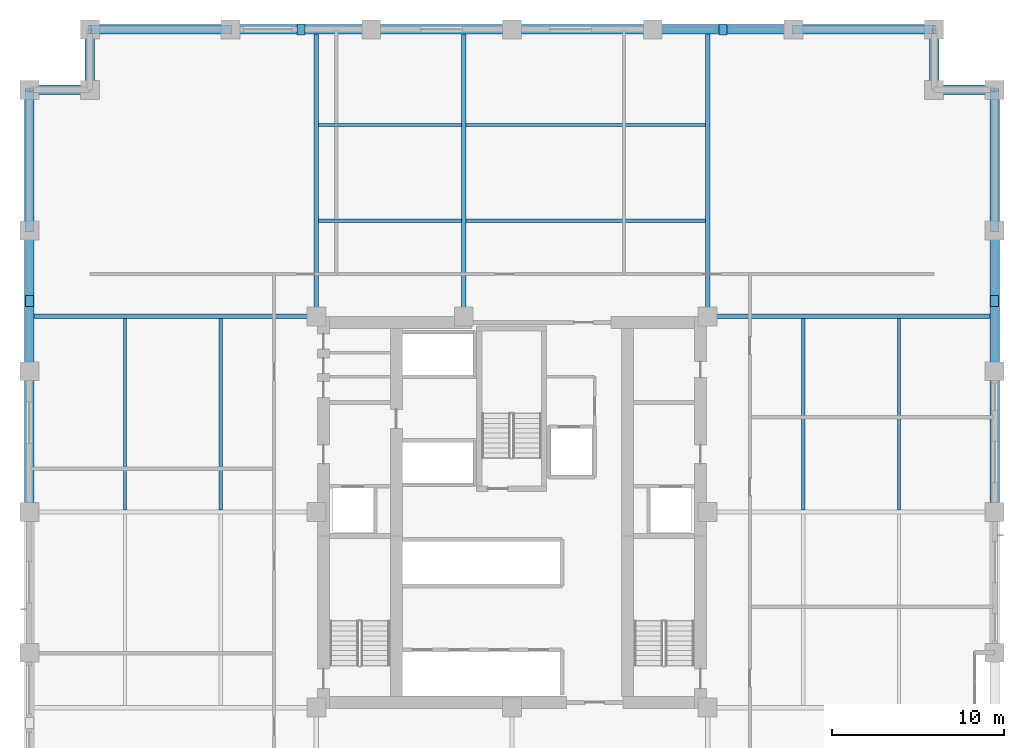
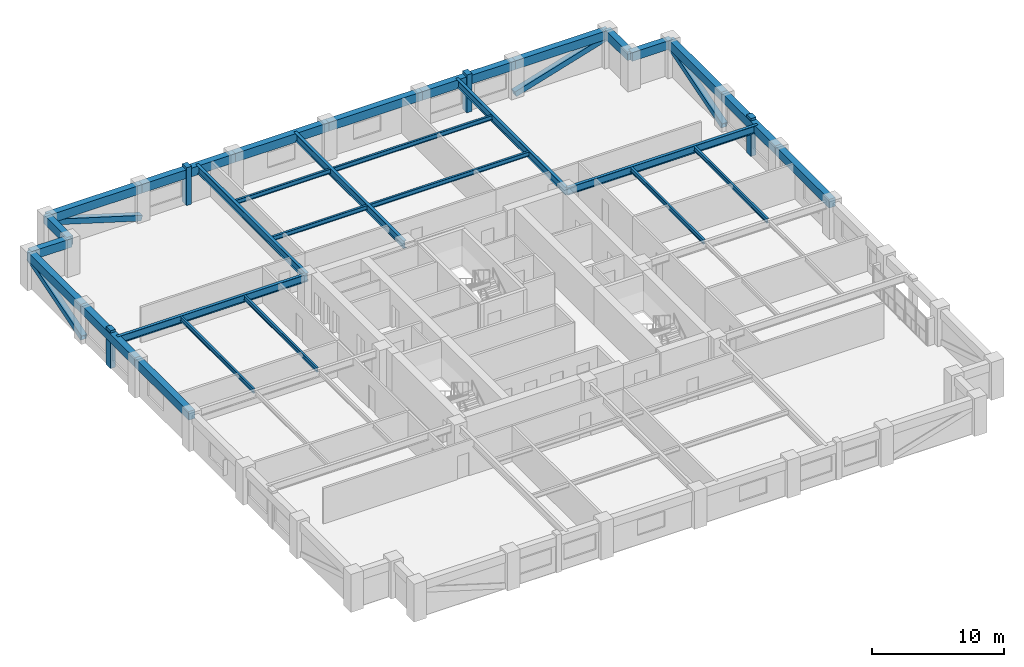
# One storey, part 3 of 13: 29 beams, 8 members.
"""IFC4 building model written with IfcOpenShell, lengths in metres."""

from ifc_helpers import new_model, si_unit, direction, frame, origin, origin_2d, place, context, subcontext, project, spatial, rectangle, hollow_rectangle, i_section, extrude, material, material_profile, profile_set, type_object, element, save


model = new_model("IFC4")

# Units and contexts
model_context = context("Model", 3, precision=1e-05, world=origin(), true_north=direction((0.0, 1.0)))
body_context = subcontext(model_context, "Body", "Model", "MODEL_VIEW")
ifc_project = project(units=[si_unit("LENGTHUNIT", "METRE"), si_unit("AREAUNIT", "SQUARE_METRE"), si_unit("VOLUMEUNIT", "CUBIC_METRE"), si_unit("PLANEANGLEUNIT", "RADIAN"), si_unit("MASSUNIT", "GRAM", prefix="KILO")], contexts=[model_context])

# Site, building, storey
site_placement = place(None, origin())
site = spatial("IfcSite", under=ifc_project, at=site_placement, CompositionType="ELEMENT")
building_placement = place(site_placement, origin())
building = spatial("IfcBuilding", under=site, at=building_placement, Name="Nhamokura Convention Tower", CompositionType="ELEMENT")
storey_placement = place(building_placement, frame((0.0, 0.0, 92.75)))
storey = spatial("IfcBuildingStorey", under=building, at=storey_placement, Name="L22", CompositionType="ELEMENT", Elevation=92.75)

# Members
ifc_material_1 = material(Name="Bronze-pigmented precast concrete C45/55", Category="concrete")
ifc_material_profile_1 = material_profile(ifc_material_1, rectangle(XDim=0.449951171875, YDim=0.64990234375, at=origin_2d()))
ifc_profile_set_1 = profile_set([ifc_material_profile_1], Name="Bronze-pigmented precast concrete C45/55")
member_type_1 = type_object("IfcMemberType", Name="BronzePilaster_650", PredefinedType="USERDEFINED", material=ifc_profile_set_1)
for number, where, z_axis, x_axis, name in (
    (1, (19.75, 60.0, 0.0), (0.0, 0.0, 1.0), (1.0, 0.0, 0.0), "L22 Engaged Frame Pilaster NORTH 1"),
    (2, (44.25, 60.0, 0.0), (0.0, 0.0, 1.0), (1.0, 0.0, 0.0), "L22 Engaged Frame Pilaster NORTH 4"),
    (3, (4.0, 44.25, 0.0), (0.0, 0.0, 1.0), (1.0, 0.0, 0.0), "L22 Engaged Frame Pilaster WEST 4"),
    (4, (60.0, 44.25, 0.0), (0.0, 0.0, 1.0), (1.0, 0.0, 0.0), "L22 Engaged Frame Pilaster EAST 4"),
):
    element("IfcMember", number, at=place(storey_placement, frame(where, z_axis=z_axis, x_axis=x_axis)), inside=storey, type_object=member_type_1, Name=name, ObjectType="PILASTER_TRIM", PredefinedType="USERDEFINED", context=body_context, shape_type="SweptSolid", body=[
        extrude(rectangle(XDim=0.449951171875, YDim=0.64990234375, at=origin_2d()), origin(), (0.0, 0.0, 1.0), 3.5),
    ])

# Beams
ifc_material_2 = material(Name="Steel ASTM A992 Gr 50", Category="steel")
ifc_material_profile_2 = material_profile(ifc_material_2, i_section(OverallWidth=0.178955078125, OverallDepth=0.409912109375, WebThickness=0.0087890625, FlangeThickness=0.014404296875, at=origin_2d()))
ifc_profile_set_2 = profile_set([ifc_material_profile_2], Name="Steel ASTM A992 Gr 50")
beam_type_1 = type_object("IfcBeamType", Name="FloorJoist_W410X67", PredefinedType="JOIST", material=ifc_profile_set_2)
beam_1_placement = place(storey_placement, frame((20.77587890625, 48.89990234375, 3.074951171875), z_axis=(1.0, 0.0, 0.0), x_axis=(0.0, 1.0, 0.0)))
element("IfcBeam", 5, at=beam_1_placement, inside=storey, type_object=beam_type_1, Name="L22 Composite Floor Joist N1A", PredefinedType="JOIST", context=body_context, shape_type="SweptSolid", body=[
    extrude(i_section(OverallWidth=0.178955078125, OverallDepth=0.409912109375, WebThickness=0.0087890625, FlangeThickness=0.014404296875, at=origin_2d()), origin(), (0.0, 0.0, 1.0), 8.298095703125),
])
beam_2_placement = place(storey_placement, frame((29.325927734375, 48.89990234375, 3.074951171875), z_axis=(1.0, 0.0, 0.0), x_axis=(0.0, 1.0, 0.0)))
element("IfcBeam", 6, at=beam_2_placement, inside=storey, type_object=beam_type_1, Name="L22 Composite Floor Joist N1B", PredefinedType="JOIST", context=body_context, shape_type="SweptSolid", body=[
    extrude(i_section(OverallWidth=0.178955078125, OverallDepth=0.409912109375, WebThickness=0.0087890625, FlangeThickness=0.014404296875, at=origin_2d()), origin(), (0.0, 0.0, 1.0), 13.898193359375),
])
beam_3_placement = place(storey_placement, frame((20.77587890625, 54.449951171875, 3.074951171875), z_axis=(1.0, 0.0, 0.0), x_axis=(0.0, 1.0, 0.0)))
element("IfcBeam", 7, at=beam_3_placement, inside=storey, type_object=beam_type_1, Name="L22 Composite Floor Joist N2A", PredefinedType="JOIST", context=body_context, shape_type="SweptSolid", body=[
    extrude(i_section(OverallWidth=0.178955078125, OverallDepth=0.409912109375, WebThickness=0.0087890625, FlangeThickness=0.014404296875, at=origin_2d()), origin(), (0.0, 0.0, 1.0), 8.298095703125),
])
beam_4_placement = place(storey_placement, frame((29.325927734375, 54.449951171875, 3.074951171875), z_axis=(1.0, 0.0, 0.0), x_axis=(0.0, 1.0, 0.0)))
element("IfcBeam", 8, at=beam_4_placement, inside=storey, type_object=beam_type_1, Name="L22 Composite Floor Joist N2B", PredefinedType="JOIST", context=body_context, shape_type="SweptSolid", body=[
    extrude(i_section(OverallWidth=0.178955078125, OverallDepth=0.409912109375, WebThickness=0.0087890625, FlangeThickness=0.014404296875, at=origin_2d()), origin(), (0.0, 0.0, 1.0), 13.898193359375),
])
for number, where, z_axis, x_axis, name in (
    (9, (9.550048828125, 32.1259765625, 3.074951171875), (0.0, 1.0, 0.0), (-1.0, 0.0, 0.0), "L22 Composite Floor Joist W1B"),
    (10, (15.10009765625, 32.1259765625, 3.074951171875), (0.0, 1.0, 0.0), (-1.0, 0.0, 0.0), "L22 Composite Floor Joist W2B"),
    (11, (48.89990234375, 32.1259765625, 3.074951171875), (0.0, 1.0, 0.0), (-1.0, 0.0, 0.0), "L22 Composite Floor Joist E1B"),
    (12, (54.449951171875, 32.1259765625, 3.074951171875), (0.0, 1.0, 0.0), (-1.0, 0.0, 0.0), "L22 Composite Floor Joist E2B"),
):
    element("IfcBeam", number, at=place(storey_placement, frame(where, z_axis=z_axis, x_axis=x_axis)), inside=storey, type_object=beam_type_1, Name=name, PredefinedType="JOIST", context=body_context, shape_type="SweptSolid", body=[
        extrude(i_section(OverallWidth=0.178955078125, OverallDepth=0.409912109375, WebThickness=0.0087890625, FlangeThickness=0.014404296875, at=origin_2d()), origin(), (0.0, 0.0, 1.0), 11.09814453125),
    ])
ifc_material_3 = material(Name="Steel ASTM A992 Gr 50", Category="steel")
ifc_material_profile_3 = material_profile(ifc_material_3, i_section(OverallWidth=0.256103515625, OverallDepth=0.693115234375, WebThickness=0.014404296875, FlangeThickness=0.023681640625, at=origin_2d()))
ifc_profile_set_3 = profile_set([ifc_material_profile_3], Name="Steel ASTM A992 Gr 50")
beam_type_2 = type_object("IfcBeamType", Name="PrimaryGirder_W690X170", PredefinedType="BEAM", material=ifc_profile_set_3)
for number, where, z_axis, x_axis, name in (
    (13, (20.64990234375, 43.35009765625, 2.93359375), (0.0, 1.0, 0.0), (-1.0, 0.0, 0.0), "L22 Primary Floor Girder PG-N1"),
    (14, (29.199951171875, 43.35009765625, 2.93359375), (0.0, 1.0, 0.0), (-1.0, 0.0, 0.0), "L22 Primary Floor Girder PG-N2"),
    (15, (43.35009765625, 43.35009765625, 2.93359375), (0.0, 1.0, 0.0), (-1.0, 0.0, 0.0), "L22 Primary Floor Girder PG-N3"),
    (16, (4.0, 43.35009765625, 2.93359375), (1.0, 0.0, 0.0), (0.0, 1.0, 0.0), "L22 Primary Floor Girder PG-W3"),
    (17, (43.35009765625, 43.35009765625, 2.93359375), (1.0, 0.0, 0.0), (0.0, 1.0, 0.0), "L22 Primary Floor Girder PG-E3"),
):
    element("IfcBeam", number, at=place(storey_placement, frame(where, z_axis=z_axis, x_axis=x_axis)), inside=storey, type_object=beam_type_2, Name=name, PredefinedType="BEAM", context=body_context, shape_type="SweptSolid", body=[
        extrude(i_section(OverallWidth=0.256103515625, OverallDepth=0.693115234375, WebThickness=0.014404296875, FlangeThickness=0.023681640625, at=origin_2d()), origin(), (0.0, 0.0, 1.0), 16.64990234375),
    ])

# Members
ifc_material_4 = material(Name="Steel ASTM A572 Gr 50", Category="steel")
ifc_material_profile_4 = material_profile(ifc_material_4, hollow_rectangle(XDim=0.5, YDim=0.5, WallThickness=0.02490234375, at=origin_2d()))
ifc_profile_set_4 = profile_set([ifc_material_profile_4], Name="Steel ASTM A572 Gr 50")
member_type_2 = type_object("IfcMemberType", Name="TubeBrace_HSS500", PredefinedType="BRACE", material=ifc_profile_set_4)
for number, where, z_axis, x_axis, name in (
    (18, (15.666748046875, 60.0, 0.14990234375), (-0.956854874628, 0.0, 0.290566255612), (0.0, -1.0, 0.0), "L22 Perimeter Tube Brace NORTH Bay 0"),
    (19, (48.333251953125, 60.0, 0.14990234375), (0.956854874628, 0.0, 0.290566255612), (0.0, 1.0, 0.0), "L22 Perimeter Tube Brace NORTH Bay 5"),
    (20, (4.0, 48.333251953125, 0.14990234375), (0.0, 0.956854874628, 0.290566255612), (-1.0, 0.0, 0.0), "L22 Perimeter Tube Brace WEST Bay 5"),
    (21, (60.0, 48.333251953125, 0.14990234375), (0.0, 0.956854874628, 0.290566255612), (-1.0, 0.0, 0.0), "L22 Perimeter Tube Brace EAST Bay 5"),
):
    element("IfcMember", number, at=place(storey_placement, frame(where, z_axis=z_axis, x_axis=x_axis)), inside=storey, type_object=member_type_2, Name=name, PredefinedType="BRACE", context=body_context, shape_type="SweptSolid", body=[
        extrude(hollow_rectangle(XDim=0.5, YDim=0.5, WallThickness=0.02490234375, at=origin_2d()), origin(), (0.0, 0.0, 1.0), 8.534912109375),
    ])

# Beams
ifc_material_5 = material(Name="Concrete C50/60", Category="concrete")
ifc_material_profile_5 = material_profile(ifc_material_5, rectangle(XDim=0.550048828125, YDim=0.800048828125, at=origin_2d()))
ifc_profile_set_5 = profile_set([ifc_material_profile_5], Name="Concrete C50/60")
beam_type_3 = type_object("IfcBeamType", Name="TubeSpandrel_800", PredefinedType="SPANDREL", material=ifc_profile_set_5)
beam_5_placement = place(storey_placement, frame((7.5, 60.0, 2.8798828125), z_axis=(1.0, 0.0, 0.0), x_axis=(0.0, 1.0, 0.0)))
element("IfcBeam", 22, at=beam_5_placement, inside=storey, type_object=beam_type_3, Name="L22 Perimeter Spandrel NORTH 1", PredefinedType="SPANDREL", context=body_context, shape_type="SweptSolid", body=[
    extrude(rectangle(XDim=0.550048828125, YDim=0.800048828125, at=origin_2d()), origin(), (0.0, 0.0, 1.0), 8.166748046875),
])
beam_6_placement = place(storey_placement, frame((15.666748046875, 60.0, 2.8798828125), z_axis=(1.0, 0.0, 0.0), x_axis=(0.0, 1.0, 0.0)))
element("IfcBeam", 23, at=beam_6_placement, inside=storey, type_object=beam_type_3, Name="L22 Perimeter Spandrel NORTH 2", PredefinedType="SPANDREL", context=body_context, shape_type="SweptSolid", body=[
    extrude(rectangle(XDim=0.550048828125, YDim=0.800048828125, at=origin_2d()), origin(), (0.0, 0.0, 1.0), 8.16650390625),
])
for number, where, z_axis, x_axis, name in (
    (24, (23.833251953125, 60.0, 2.8798828125), (1.0, 0.0, 0.0), (0.0, 1.0, 0.0), "L22 Perimeter Spandrel NORTH 3"),
    (25, (32.0, 60.0, 2.8798828125), (1.0, 0.0, 0.0), (0.0, 1.0, 0.0), "L22 Perimeter Spandrel NORTH 4"),
):
    element("IfcBeam", number, at=place(storey_placement, frame(where, z_axis=z_axis, x_axis=x_axis)), inside=storey, type_object=beam_type_3, Name=name, PredefinedType="SPANDREL", context=body_context, shape_type="SweptSolid", body=[
        extrude(rectangle(XDim=0.550048828125, YDim=0.800048828125, at=origin_2d()), origin(), (0.0, 0.0, 1.0), 8.166748046875),
    ])
beam_7_placement = place(storey_placement, frame((40.166748046875, 60.0, 2.8798828125), z_axis=(1.0, 0.0, 0.0), x_axis=(0.0, 1.0, 0.0)))
element("IfcBeam", 26, at=beam_7_placement, inside=storey, type_object=beam_type_3, Name="L22 Perimeter Spandrel NORTH 5", PredefinedType="SPANDREL", context=body_context, shape_type="SweptSolid", body=[
    extrude(rectangle(XDim=0.550048828125, YDim=0.800048828125, at=origin_2d()), origin(), (0.0, 0.0, 1.0), 8.16650390625),
])
for number, where, z_axis, x_axis, name in (
    (27, (48.333251953125, 60.0, 2.8798828125), (1.0, 0.0, 0.0), (0.0, 1.0, 0.0), "L22 Perimeter Spandrel NORTH 6"),
    (28, (4.0, 32.0, 2.8798828125), (0.0, 1.0, 0.0), (-1.0, 0.0, 0.0), "L22 Perimeter Spandrel WEST 4"),
):
    element("IfcBeam", number, at=place(storey_placement, frame(where, z_axis=z_axis, x_axis=x_axis)), inside=storey, type_object=beam_type_3, Name=name, PredefinedType="SPANDREL", context=body_context, shape_type="SweptSolid", body=[
        extrude(rectangle(XDim=0.550048828125, YDim=0.800048828125, at=origin_2d()), origin(), (0.0, 0.0, 1.0), 8.166748046875),
    ])
beam_8_placement = place(storey_placement, frame((4.0, 40.166748046875, 2.8798828125), z_axis=(0.0, 1.0, 0.0), x_axis=(-1.0, 0.0, 0.0)))
element("IfcBeam", 29, at=beam_8_placement, inside=storey, type_object=beam_type_3, Name="L22 Perimeter Spandrel WEST 5", PredefinedType="SPANDREL", context=body_context, shape_type="SweptSolid", body=[
    extrude(rectangle(XDim=0.550048828125, YDim=0.800048828125, at=origin_2d()), origin(), (0.0, 0.0, 1.0), 8.16650390625),
])
for number, where, z_axis, x_axis, name in (
    (30, (4.0, 48.333251953125, 2.8798828125), (0.0, 1.0, 0.0), (-1.0, 0.0, 0.0), "L22 Perimeter Spandrel WEST 6"),
    (31, (60.0, 32.0, 2.8798828125), (0.0, 1.0, 0.0), (-1.0, 0.0, 0.0), "L22 Perimeter Spandrel EAST 4"),
):
    element("IfcBeam", number, at=place(storey_placement, frame(where, z_axis=z_axis, x_axis=x_axis)), inside=storey, type_object=beam_type_3, Name=name, PredefinedType="SPANDREL", context=body_context, shape_type="SweptSolid", body=[
        extrude(rectangle(XDim=0.550048828125, YDim=0.800048828125, at=origin_2d()), origin(), (0.0, 0.0, 1.0), 8.166748046875),
    ])
beam_9_placement = place(storey_placement, frame((60.0, 40.166748046875, 2.8798828125), z_axis=(0.0, 1.0, 0.0), x_axis=(-1.0, 0.0, 0.0)))
element("IfcBeam", 32, at=beam_9_placement, inside=storey, type_object=beam_type_3, Name="L22 Perimeter Spandrel EAST 5", PredefinedType="SPANDREL", context=body_context, shape_type="SweptSolid", body=[
    extrude(rectangle(XDim=0.550048828125, YDim=0.800048828125, at=origin_2d()), origin(), (0.0, 0.0, 1.0), 8.16650390625),
])
beam_10_placement = place(storey_placement, frame((60.0, 48.333251953125, 2.8798828125), z_axis=(0.0, 1.0, 0.0), x_axis=(-1.0, 0.0, 0.0)))
element("IfcBeam", 33, at=beam_10_placement, inside=storey, type_object=beam_type_3, Name="L22 Perimeter Spandrel EAST 6", PredefinedType="SPANDREL", context=body_context, shape_type="SweptSolid", body=[
    extrude(rectangle(XDim=0.550048828125, YDim=0.800048828125, at=origin_2d()), origin(), (0.0, 0.0, 1.0), 8.166748046875),
])
for number, where, z_axis, x_axis, name in (
    (34, (60.0, 56.5, 2.8798828125), (-1.0, 0.0, 0.0), (0.0, -1.0, 0.0), "L22 Notch Spandrel NE1"),
    (35, (56.5, 56.5, 2.8798828125), (0.0, 1.0, 0.0), (-1.0, 0.0, 0.0), "L22 Notch Spandrel NE2"),
    (36, (7.5, 60.0, 2.8798828125), (0.0, -1.0, 0.0), (1.0, 0.0, 0.0), "L22 Notch Spandrel NW1"),
    (37, (7.5, 56.5, 2.8798828125), (-1.0, 0.0, 0.0), (0.0, -1.0, 0.0), "L22 Notch Spandrel NW2"),
):
    element("IfcBeam", number, at=place(storey_placement, frame(where, z_axis=z_axis, x_axis=x_axis)), inside=storey, type_object=beam_type_3, Name=name, PredefinedType="SPANDREL", context=body_context, shape_type="SweptSolid", body=[
        extrude(rectangle(XDim=0.550048828125, YDim=0.800048828125, at=origin_2d()), origin(), (0.0, 0.0, 1.0), 3.5),
    ])

save(model, "model.ifc")
